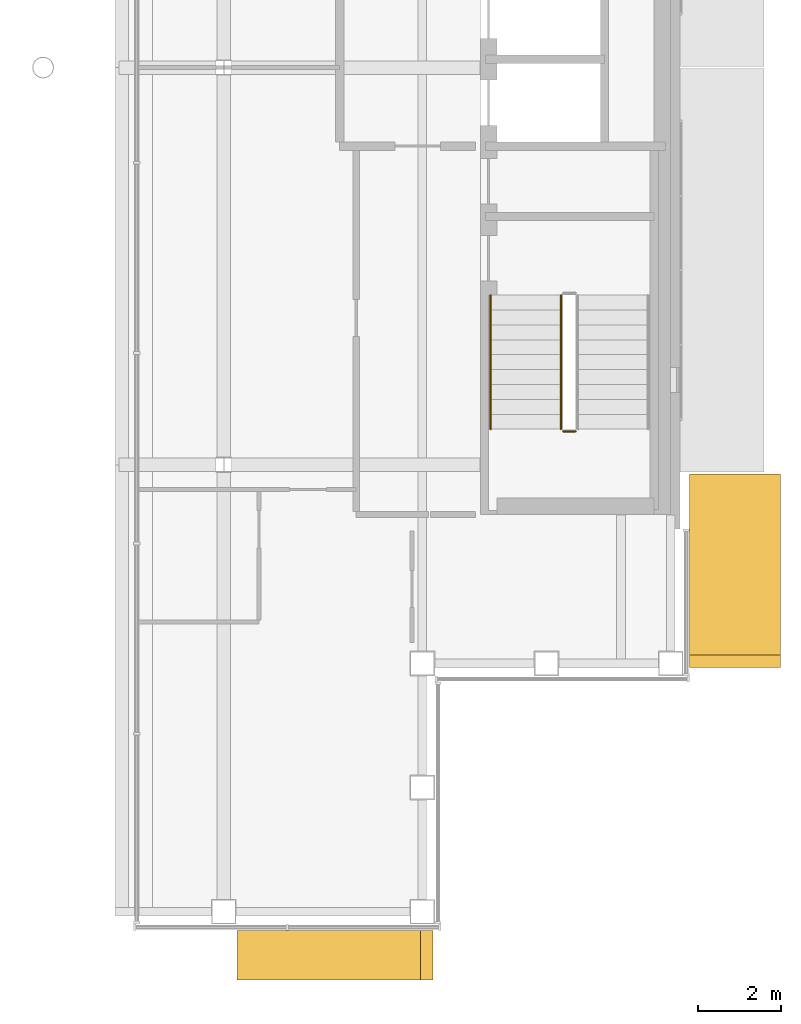
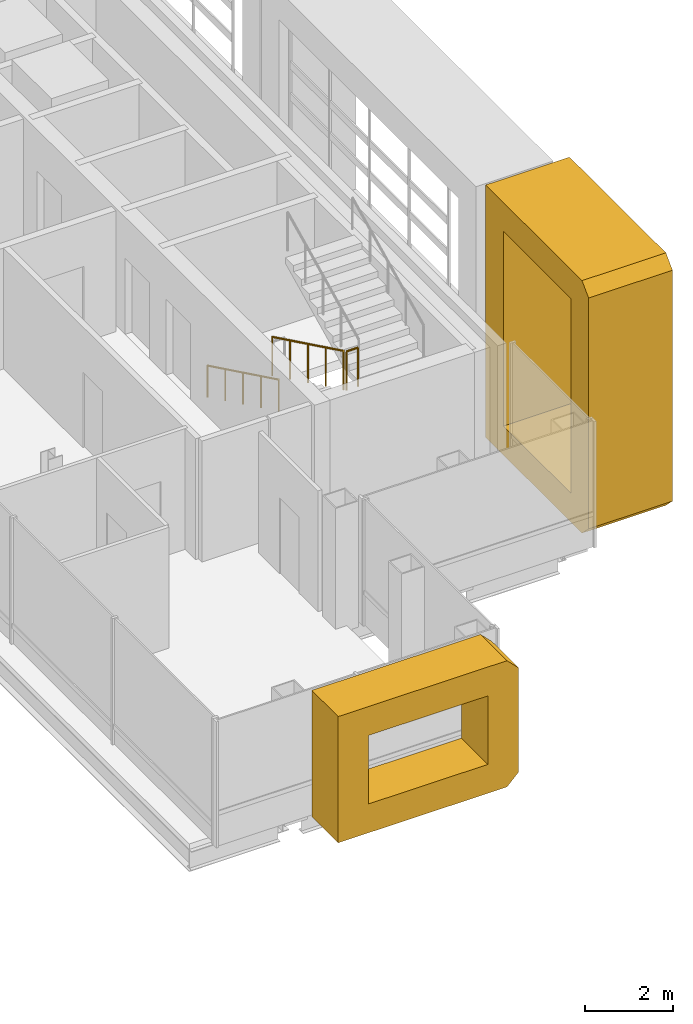
# One storey, part 17 of 21: 3 railings, 2 coverings.
"""IFC4 building model written with IfcOpenShell, lengths in metres."""

from ifc_helpers import new_model, si_unit, direction, frame, origin, origin_2d, place, context, subcontext, project, spatial, polyline, circle, outline, extrude, material, type_object, element, save


model = new_model("IFC4")

# Units and contexts
model_context = context("Model", 3, precision=1e-05, world=origin(), true_north=direction((0.0, 1.0)))
body_context = subcontext(model_context, "Body", "Model", "MODEL_VIEW")
ifc_project = project(units=[si_unit("LENGTHUNIT", "METRE"), si_unit("AREAUNIT", "SQUARE_METRE"), si_unit("VOLUMEUNIT", "CUBIC_METRE"), si_unit("PLANEANGLEUNIT", "RADIAN"), si_unit("MASSUNIT", "GRAM", prefix="KILO")], contexts=[model_context])

# Site, building, storey
site_placement = place(None, origin())
site = spatial("IfcSite", under=ifc_project, at=site_placement, CompositionType="ELEMENT")
building_placement = place(site_placement, origin())
building = spatial("IfcBuilding", under=site, at=building_placement, Name="Cobrizo Arcos Hotel Tower", CompositionType="ELEMENT")
storey_placement = place(building_placement, frame((0.0, 0.0, 269.0)))
storey = spatial("IfcBuildingStorey", under=building, at=storey_placement, Name="L71", CompositionType="ELEMENT", Elevation=269.0)

# Coverings
ifc_material_1 = material(Name="Aluminium 6063-T6 anodised bronze", Category="aluminium")
covering_type_1 = type_object("IfcCoveringType", Name="FIN-F 1200", PredefinedType="CLADDING", material=ifc_material_1)
covering_1_placement = place(storey_placement, frame((9.925048828125, -20.85009765625, 0.0), z_axis=(0.0, -1.0, 0.0), x_axis=(1.0, 0.0, 0.0)))
element("IfcCovering", 1, at=covering_1_placement, inside=storey, type_object=covering_type_1, Name="Fin frame 422", PredefinedType="CLADDING", context=body_context, shape_type="SweptSolid", body=[
    extrude(outline(polyline([(0.0, 3.5), (0.0, 0.0), (4.425048828125, 0.0), (4.72509765625, 0.300048828125), (4.72509765625, 3.199951171875), (4.425048828125, 3.5), (0.0, 3.5)]), holes=[polyline([(3.925048828125, 0.800048828125), (0.800048828125, 0.800048828125), (0.800048828125, 2.699951171875), (3.925048828125, 2.699951171875), (3.925048828125, 0.800048828125)])]), origin(), (0.0, 0.0, 1.0), 1.199951171875),
])
covering_type_2 = type_object("IfcCoveringType", Name="FIN-F 2200", PredefinedType="CLADDING", material=ifc_material_1)
covering_2_placement = place(storey_placement, frame((20.85009765625, -14.5, 0.0), z_axis=(1.0, 0.0, 0.0), x_axis=(0.0, 1.0, 0.0)))
element("IfcCovering", 2, at=covering_2_placement, inside=storey, type_object=covering_type_2, Name="Fin frame 395", PredefinedType="CLADDING", context=body_context, shape_type="SweptSolid", body=[
    extrude(outline(polyline([(0.0, 0.300048828125), (0.300048828125, 0.0), (4.675048828125, 0.0), (4.675048828125, 7.0), (0.300048828125, 7.0), (0.0, 6.699951171875), (0.0, 0.300048828125)]), holes=[polyline([(3.875, 0.800048828125), (0.800048828125, 0.800048828125), (0.800048828125, 6.199951171875), (3.875, 6.199951171875), (3.875, 0.800048828125)])]), origin(), (0.0, 0.0, 1.0), 2.199951171875),
])

# Railings
ifc_material_2 = material(Name="Stainless steel railing", Category="steel")
railing_type_1 = type_object("IfcRailingType", Name="Stair guard 1100", PredefinedType="GUARDRAIL", material=ifc_material_2)
railing_1_placement = place(storey_placement, frame((17.75, -5.5, 0.175048828125)))
element("IfcRailing", 3, at=railing_1_placement, inside=storey, type_object=railing_type_1, Name="L71 ST-E stair guard 1", PredefinedType="GUARDRAIL", context=body_context, shape_type="SweptSolid", body=[
    extrude(circle(Radius=0.02392578125, at=origin_2d()), frame((0.0, 0.0, 1.076171875), z_axis=(0.0, -0.899372665325, 0.437182809435), x_axis=(1.0, 0.0, 0.0)), (0.0, 0.0, 1.0), 3.6025390625),
    extrude(circle(Radius=0.02099609375, at=origin_2d()), origin(), (0.0, 0.0, 1.0), 1.052001953125),
    extrude(circle(Radius=0.02099609375, at=origin_2d()), frame((0.0, -0.81005859375, 0.393798828125)), (0.0, 0.0, 1.0), 1.052001953125),
    extrude(circle(Radius=0.02099609375, at=origin_2d()), frame((0.0, -1.6201171875, 0.78759765625)), (0.0, 0.0, 1.0), 1.052001953125),
    extrude(circle(Radius=0.02099609375, at=origin_2d()), frame((0.0, -2.429931640625, 1.18115234375)), (0.0, 0.0, 1.0), 1.052001953125),
    extrude(circle(Radius=0.02099609375, at=origin_2d()), frame((0.0, -3.239990234375, 1.574951171875)), (0.0, 0.0, 1.0), 1.052001953125),
])
railing_2_placement = place(storey_placement, frame((17.800048828125, -8.7900390625, 1.75)))
element("IfcRailing", 4, at=railing_2_placement, inside=storey, type_object=railing_type_1, Name="L71 ST-E stair guard 2", PredefinedType="GUARDRAIL", context=body_context, shape_type="SweptSolid", body=[
    extrude(circle(Radius=0.02392578125, at=origin_2d()), frame((0.0, 0.0, 1.076171875), z_axis=(1.0, 0.0, 0.0), x_axis=(0.0, 1.0, 0.0)), (0.0, 0.0, 1.0), 0.300048828125),
    extrude(circle(Radius=0.02099609375, at=origin_2d()), origin(), (0.0, 0.0, 1.0), 1.052001953125),
    extrude(circle(Radius=0.02099609375, at=origin_2d()), frame((0.300048828125, 0.0, 0.0)), (0.0, 0.0, 1.0), 1.052001953125),
])
railing_type_2 = type_object("IfcRailingType", Name="Stair handrail", PredefinedType="HANDRAIL", material=ifc_material_2)
railing_3_placement = place(storey_placement, frame((16.050048828125, -5.5, 0.175048828125)))
element("IfcRailing", 5, at=railing_3_placement, inside=storey, type_object=railing_type_2, Name="L71 ST-E stair handrail 1", PredefinedType="HANDRAIL", context=body_context, shape_type="SweptSolid", body=[
    extrude(circle(Radius=0.02392578125, at=origin_2d()), frame((0.0, 0.0, 0.8759765625), z_axis=(0.0, -0.899372665325, 0.437182809435), x_axis=(1.0, 0.0, 0.0)), (0.0, 0.0, 1.0), 3.6025390625),
    extrude(circle(Radius=0.02099609375, at=origin_2d()), origin(), (0.0, 0.0, 1.0), 0.851806640625),
    extrude(circle(Radius=0.02099609375, at=origin_2d()), frame((0.0, -0.81005859375, 0.393798828125)), (0.0, 0.0, 1.0), 0.851806640625),
    extrude(circle(Radius=0.02099609375, at=origin_2d()), frame((0.0, -1.6201171875, 0.78759765625)), (0.0, 0.0, 1.0), 0.851806640625),
    extrude(circle(Radius=0.02099609375, at=origin_2d()), frame((0.0, -2.429931640625, 1.18115234375)), (0.0, 0.0, 1.0), 0.851806640625),
    extrude(circle(Radius=0.02099609375, at=origin_2d()), frame((0.0, -3.239990234375, 1.574951171875)), (0.0, 0.0, 1.0), 0.851806640625),
])

save(model, "model.ifc")
